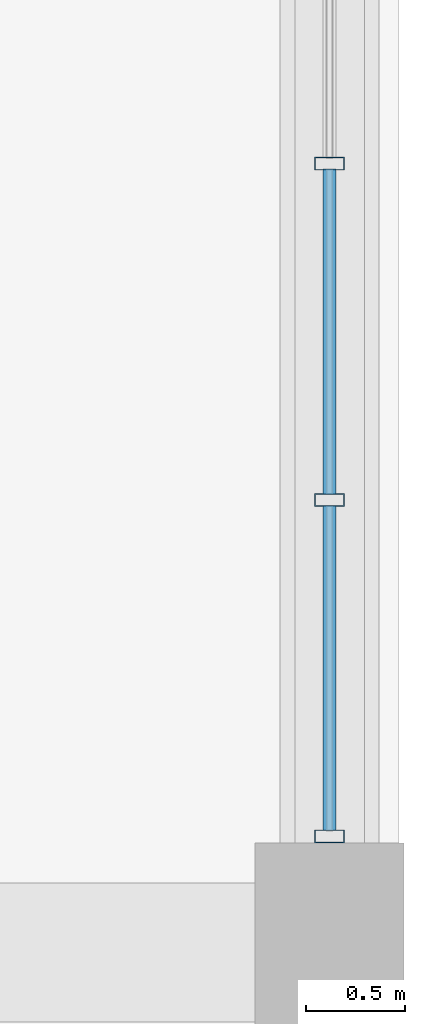
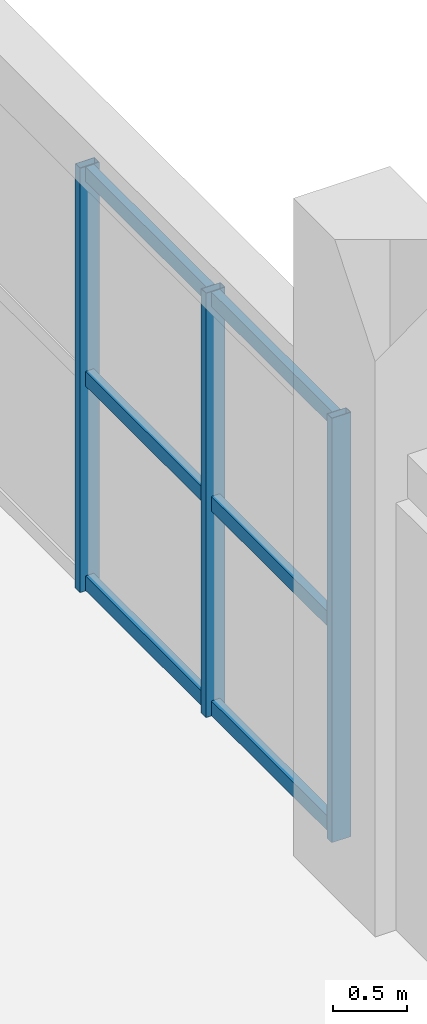
# One storey, part 58 of 113: 9 members, 1 element without a shape of its own.
"""IFC4 building model written with IfcOpenShell, lengths in metres."""

from ifc_helpers import new_model, si_unit, direction, frame, origin, origin_2d, place, context, subcontext, project, spatial, hollow_rectangle, extrude, material, layer, layer_set, material_profile, profile_set, type_object, element, aggregate, save


model = new_model("IFC4")

# Units and contexts
model_context = context("Model", 3, precision=1e-05, world=origin(), true_north=direction((0.0, 1.0)))
body_context = subcontext(model_context, "Body", "Model", "MODEL_VIEW")
ifc_project = project(units=[si_unit("LENGTHUNIT", "METRE"), si_unit("AREAUNIT", "SQUARE_METRE"), si_unit("VOLUMEUNIT", "CUBIC_METRE"), si_unit("PLANEANGLEUNIT", "RADIAN"), si_unit("MASSUNIT", "GRAM", prefix="KILO"), si_unit("POWERUNIT", "WATT"), si_unit("THERMODYNAMICTEMPERATUREUNIT", "KELVIN")], contexts=[model_context])

# Site, building, storey
site_placement = place(None, origin())
site = spatial("IfcSite", under=ifc_project, at=site_placement, CompositionType="ELEMENT")
building_placement = place(site_placement, origin())
building = spatial("IfcBuilding", under=site, at=building_placement, Name="Kelmbourne Parkland Aquatics Centre", CompositionType="ELEMENT")
storey_placement = place(building_placement, origin())
storey = spatial("IfcBuildingStorey", under=building, at=storey_placement, Name="L00", CompositionType="ELEMENT", Elevation=0.0)

# Curtain wall, members
ifc_material = material(Name="Thermally broken anodised aluminium framing", Category="aluminium")
ifc_layer = layer(ifc_material, 0.179931640625)
ifc_layer_set = layer_set([ifc_layer], Name="Thermally broken anodised aluminium framing")
curtain_wall_type = type_object("IfcCurtainWallType", Name="CW-15", PredefinedType="NOTDEFINED", material=ifc_layer_set)
curtain_wall_placement = place(storey_placement, origin())
curtain_wall = element("IfcCurtainWall", 1, at=curtain_wall_placement, inside=storey, type_object=curtain_wall_type, Name="Facade curtain wall CW-L00-015", PredefinedType="NOTDEFINED")
ifc_material_profile_1 = material_profile(ifc_material, hollow_rectangle(XDim=0.06494140625, YDim=0.14990234375, WallThickness=0.00390625, at=origin_2d()), Name="CW-M 65x150")
ifc_profile_set_1 = profile_set([ifc_material_profile_1], Name="Thermally broken anodised aluminium framing")
member_type_1 = type_object("IfcMemberType", Name="MB-MUL-1", PredefinedType="MULLION", material=ifc_profile_set_1)
member_1_placement = place(storey_placement, frame((175.199951171875, 12.784423828125, 0.0), z_axis=(0.0, 0.0, 1.0), x_axis=(0.0, 1.0, 0.0)))
member_1 = element("IfcMember", 2, at=member_1_placement, type_object=member_type_1, Name="CW-L00-015 mullion 0", PredefinedType="MULLION", context=body_context, shape_type="SweptSolid", body=[
    extrude(hollow_rectangle(XDim=0.06494140625, YDim=0.14990234375, WallThickness=0.00390625, at=origin_2d()), origin(), (0.0, 0.0, 1.0), 3.485107421875),
])
member_2_placement = place(storey_placement, frame((175.199951171875, 14.478759765625, 0.0), z_axis=(0.0, 0.0, 1.0), x_axis=(0.0, 1.0, 0.0)))
member_2 = element("IfcMember", 3, at=member_2_placement, type_object=member_type_1, Name="CW-L00-015 mullion 1", PredefinedType="MULLION", context=body_context, shape_type="SweptSolid", body=[
    extrude(hollow_rectangle(XDim=0.06494140625, YDim=0.14990234375, WallThickness=0.00390625, at=origin_2d()), origin(), (0.0, 0.0, 1.0), 3.485107421875),
])
member_3_placement = place(storey_placement, frame((175.199951171875, 16.173095703125, 0.0), z_axis=(0.0, 0.0, 1.0), x_axis=(0.0, 1.0, 0.0)))
member_3 = element("IfcMember", 4, at=member_3_placement, type_object=member_type_1, Name="CW-L00-015 mullion 2", PredefinedType="MULLION", context=body_context, shape_type="SweptSolid", body=[
    extrude(hollow_rectangle(XDim=0.06494140625, YDim=0.14990234375, WallThickness=0.00390625, at=origin_2d()), origin(), (0.0, 0.0, 1.0), 3.485107421875),
])
ifc_material_profile_2 = material_profile(ifc_material, hollow_rectangle(XDim=0.06494140625, YDim=0.1201171875, WallThickness=0.00341796875, at=origin_2d()), Name="CW-T 65x120")
ifc_profile_set_2 = profile_set([ifc_material_profile_2], Name="Thermally broken anodised aluminium framing")
member_type_2 = type_object("IfcMemberType", Name="MB-TRN-1", PredefinedType="USERDEFINED", material=ifc_profile_set_2)
member_4_placement = place(storey_placement, frame((175.199951171875, 12.81298828125, 0.06298828125), z_axis=(0.0, 1.0, 0.0), x_axis=(-1.0, 0.0, 0.0)))
member_4 = element("IfcMember", 5, at=member_4_placement, type_object=member_type_2, Name="CW-L00-015 transom 0-0", ObjectType="TRANSOM", PredefinedType="USERDEFINED", context=body_context, shape_type="SweptSolid", body=[
    extrude(hollow_rectangle(XDim=0.06494140625, YDim=0.1201171875, WallThickness=0.00341796875, at=origin_2d()), origin(), (0.0, 0.0, 1.0), 1.63720703125),
])
member_5_placement = place(storey_placement, frame((175.199951171875, 14.50732421875, 0.06298828125), z_axis=(0.0, 1.0, 0.0), x_axis=(-1.0, 0.0, 0.0)))
member_5 = element("IfcMember", 6, at=member_5_placement, type_object=member_type_2, Name="CW-L00-015 transom 0-1", ObjectType="TRANSOM", PredefinedType="USERDEFINED", context=body_context, shape_type="SweptSolid", body=[
    extrude(hollow_rectangle(XDim=0.06494140625, YDim=0.1201171875, WallThickness=0.00341796875, at=origin_2d()), origin(), (0.0, 0.0, 1.0), 1.637451171875),
])
member_6_placement = place(storey_placement, frame((175.199951171875, 12.81298828125, 1.742431640625), z_axis=(0.0, 1.0, 0.0), x_axis=(-1.0, 0.0, 0.0)))
member_6 = element("IfcMember", 7, at=member_6_placement, type_object=member_type_2, Name="CW-L00-015 transom 1-0", ObjectType="TRANSOM", PredefinedType="USERDEFINED", context=body_context, shape_type="SweptSolid", body=[
    extrude(hollow_rectangle(XDim=0.06494140625, YDim=0.1201171875, WallThickness=0.00341796875, at=origin_2d()), origin(), (0.0, 0.0, 1.0), 1.63720703125),
])
member_7_placement = place(storey_placement, frame((175.199951171875, 14.50732421875, 1.742431640625), z_axis=(0.0, 1.0, 0.0), x_axis=(-1.0, 0.0, 0.0)))
member_7 = element("IfcMember", 8, at=member_7_placement, type_object=member_type_2, Name="CW-L00-015 transom 1-1", ObjectType="TRANSOM", PredefinedType="USERDEFINED", context=body_context, shape_type="SweptSolid", body=[
    extrude(hollow_rectangle(XDim=0.06494140625, YDim=0.1201171875, WallThickness=0.00341796875, at=origin_2d()), origin(), (0.0, 0.0, 1.0), 1.637451171875),
])
member_8_placement = place(storey_placement, frame((175.199951171875, 12.81298828125, 3.422119140625), z_axis=(0.0, 1.0, 0.0), x_axis=(-1.0, 0.0, 0.0)))
member_8 = element("IfcMember", 9, at=member_8_placement, type_object=member_type_2, Name="CW-L00-015 transom 2-0", ObjectType="TRANSOM", PredefinedType="USERDEFINED", context=body_context, shape_type="SweptSolid", body=[
    extrude(hollow_rectangle(XDim=0.06494140625, YDim=0.1201171875, WallThickness=0.00341796875, at=origin_2d()), origin(), (0.0, 0.0, 1.0), 1.63720703125),
])
member_9_placement = place(storey_placement, frame((175.199951171875, 14.50732421875, 3.422119140625), z_axis=(0.0, 1.0, 0.0), x_axis=(-1.0, 0.0, 0.0)))
member_9 = element("IfcMember", 10, at=member_9_placement, type_object=member_type_2, Name="CW-L00-015 transom 2-1", ObjectType="TRANSOM", PredefinedType="USERDEFINED", context=body_context, shape_type="SweptSolid", body=[
    extrude(hollow_rectangle(XDim=0.06494140625, YDim=0.1201171875, WallThickness=0.00341796875, at=origin_2d()), origin(), (0.0, 0.0, 1.0), 1.637451171875),
])
aggregate(curtain_wall, [member_1, member_2, member_3, member_4, member_5, member_6, member_7, member_8, member_9])

save(model, "model.ifc")
